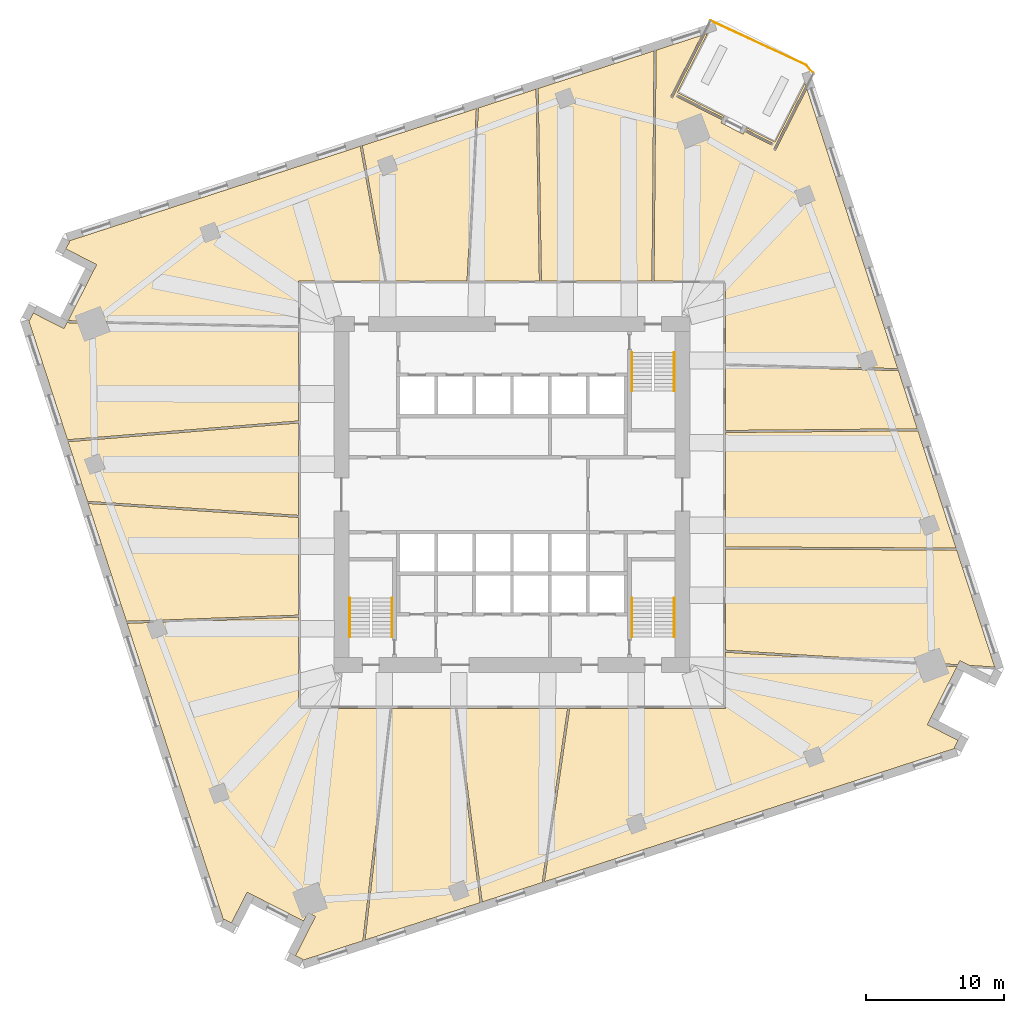
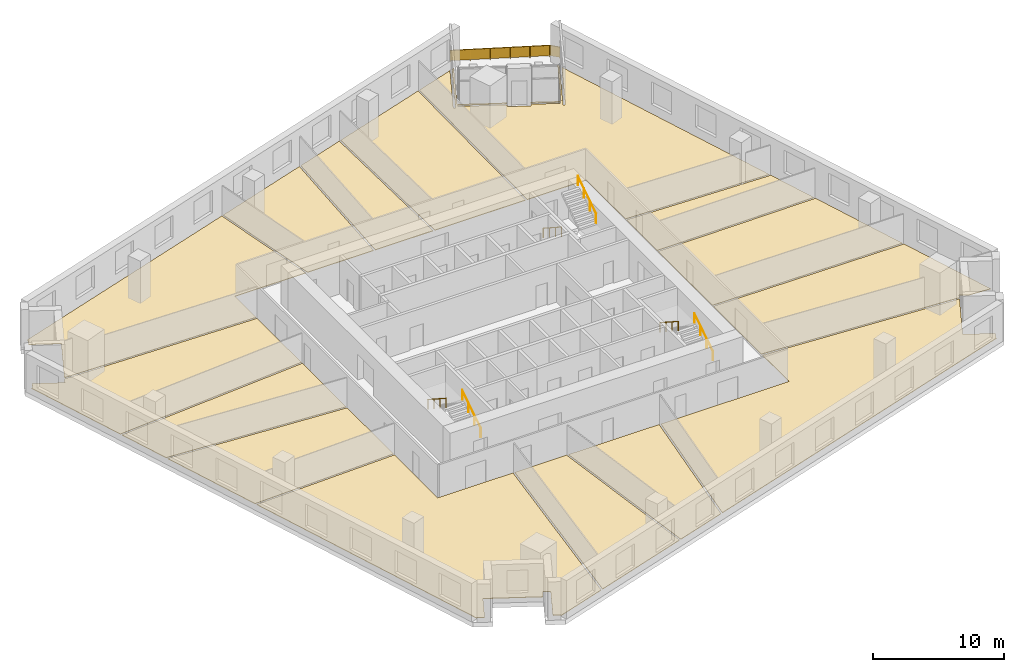
# One storey, part 11 of 12: 15 coverings, 7 railings.
"""IFC4 building model written with IfcOpenShell, lengths in metres."""

from ifc_helpers import new_model, si_unit, direction, frame, origin, origin_2d, place, context, subcontext, project, spatial, polyline, rectangle, circle, outline, extrude, material, layer, layer_set, type_object, element, save


model = new_model("IFC4")

# Units and contexts
model_context = context("Model", 3, precision=1e-05, world=origin(), true_north=direction((0.0, 1.0)))
body_context = subcontext(model_context, "Body", "Model", "MODEL_VIEW")
ifc_project = project(units=[si_unit("LENGTHUNIT", "METRE"), si_unit("AREAUNIT", "SQUARE_METRE"), si_unit("VOLUMEUNIT", "CUBIC_METRE"), si_unit("PLANEANGLEUNIT", "RADIAN"), si_unit("MASSUNIT", "GRAM", prefix="KILO")], contexts=[model_context])

# Site, building, storey
site_placement = place(None, origin())
site = spatial("IfcSite", under=ifc_project, at=site_placement, CompositionType="ELEMENT")
building_placement = place(site_placement, origin())
building = spatial("IfcBuilding", under=site, at=building_placement, Name="Dilmun Exchange Tower", CompositionType="ELEMENT")
storey_placement = place(building_placement, frame((0.0, 0.0, 98.10009765625)))
storey = spatial("IfcBuildingStorey", under=building, at=storey_placement, Name="L22", CompositionType="ELEMENT", Elevation=98.10009765625)

# Coverings
ifc_material_1 = material(Name="Carpet floor finish 50")
ifc_layer_1 = layer(ifc_material_1, 0.050048828125)
ifc_layer_set_1 = layer_set([ifc_layer_1], Name="Carpet floor finish 50")
covering_type_1 = type_object("IfcCoveringType", Name="Carpet floor finish 50", PredefinedType="FLOORING", material=ifc_layer_set_1)
covering_1_placement = place(storey_placement, origin())
element("IfcCovering", 1, at=covering_1_placement, inside=storey, type_object=covering_type_1, Name="Carpet floor finish 50 Open office 1", PredefinedType="FLOORING", context=body_context, shape_type="SweptSolid", body=[
    extrude(outline(polyline([(-15.47509765625, 12.090087890625), (-15.47509765625, 5.339599609375), (-32.203125, 3.977294921875), (-35.021484375, 12.650634765625), (-34.958251953125, 12.618408203125), (-34.9580078125, 12.618408203125), (-34.957763671875, 12.618408203125), (-34.95751953125, 12.618408203125), (-34.95751953125, 12.618408203125), (-34.957275390625, 12.618408203125), (-34.95703125, 12.618408203125), (-34.956787109375, 12.618408203125), (-34.956787109375, 12.618408203125), (-34.95654296875, 12.618408203125), (-34.956298828125, 12.61865234375), (-34.956298828125, 12.61865234375), (-34.9560546875, 12.618896484375), (-34.955810546875, 12.618896484375), (-34.955810546875, 12.619140625), (-34.95556640625, 12.619140625), (-34.95556640625, 12.619384765625), (-34.678955078125, 13.162353515625), (-32.453125, 12.0283203125), (-32.452880859375, 12.028076171875), (-32.45263671875, 12.028076171875), (-32.452392578125, 12.028076171875), (-32.452392578125, 12.028076171875), (-32.4521484375, 12.028076171875), (-32.451904296875, 12.028076171875), (-32.451904296875, 12.028076171875), (-32.45166015625, 12.028076171875), (-32.451416015625, 12.0283203125), (-32.451171875, 12.0283203125), (-32.451171875, 12.0283203125), (-32.450927734375, 12.028564453125), (-32.45068359375, 12.028564453125), (-32.45068359375, 12.02880859375), (-32.450439453125, 12.02880859375), (-32.450439453125, 12.029052734375), (-32.233642578125, 12.45458984375), (-15.47509765625, 12.090087890625)])), origin(), (0.0, 0.0, 1.0), 0.0498046875),
])
covering_2_placement = place(storey_placement, origin())
element("IfcCovering", 2, at=covering_2_placement, inside=storey, type_object=covering_type_1, Name="Carpet floor finish 50 Meeting room 1", PredefinedType="FLOORING", context=body_context, shape_type="SweptSolid", body=[
    extrude(outline(polyline([(-15.47509765625, -1.5), (-30.752685546875, -0.486572265625), (-32.155517578125, 3.83056640625), (-15.47509765625, 5.18896484375), (-15.47509765625, -1.5)])), origin(), (0.0, 0.0, 1.0), 0.0498046875),
])
covering_3_placement = place(storey_placement, origin())
element("IfcCovering", 3, at=covering_3_placement, inside=storey, type_object=covering_type_1, Name="Carpet floor finish 50 Advisory office", PredefinedType="FLOORING", context=body_context, shape_type="SweptSolid", body=[
    extrude(outline(polyline([(-15.47509765625, -8.725830078125), (-27.93017578125, -9.174072265625), (-30.702880859375, -0.64013671875), (-15.47509765625, -1.650390625), (-15.47509765625, -8.725830078125)])), origin(), (0.0, 0.0, 1.0), 0.0498046875),
])
covering_4_placement = place(storey_placement, origin())
element("IfcCovering", 4, at=covering_4_placement, inside=storey, type_object=covering_type_1, Name="Carpet floor finish 50 Open office 2", PredefinedType="FLOORING", context=body_context, shape_type="SweptSolid", body=[
    extrude(outline(polyline([(-9.2275390625, 15.47509765625), (-15.47509765625, 15.47509765625), (-15.47509765625, 12.239990234375), (-32.157958984375, 12.60302734375), (-30.362060546875, 16.127685546875), (-30.362060546875, 16.127685546875), (-30.089599609375, 16.662353515625), (-30.089599609375, 16.66259765625), (-30.089599609375, 16.66259765625), (-30.089599609375, 16.662841796875), (-30.089599609375, 16.6630859375), (-30.089599609375, 16.6630859375), (-30.089599609375, 16.663330078125), (-30.089599609375, 16.66357421875), (-30.089599609375, 16.663818359375), (-30.089599609375, 16.6640625), (-30.08984375, 16.664306640625), (-30.08984375, 16.664306640625), (-30.090087890625, 16.66455078125), (-30.090087890625, 16.66455078125), (-30.09033203125, 16.664794921875), (-30.09033203125, 16.664794921875), (-30.090576171875, 16.6650390625), (-32.31640625, 17.799072265625), (-32.039794921875, 18.341796875), (-32.03955078125, 18.342041015625), (-32.03955078125, 18.34228515625), (-32.03955078125, 18.34228515625), (-32.03955078125, 18.342529296875), (-32.03955078125, 18.3427734375), (-32.03955078125, 18.343017578125), (-32.03955078125, 18.34326171875), (-32.03955078125, 18.343505859375), (-32.039794921875, 18.343505859375), (-32.039794921875, 18.34375), (-32.039794921875, 18.343994140625), (-32.0400390625, 18.343994140625), (-32.0400390625, 18.34423828125), (-32.040283203125, 18.344482421875), (-32.040283203125, 18.344482421875), (-32.04052734375, 18.344482421875), (-32.103759765625, 18.376708984375), (-10.9951171875, 25.2353515625), (-9.2275390625, 15.47509765625)])), origin(), (0.0, 0.0, 1.0), 0.0498046875),
])
covering_5_placement = place(storey_placement, origin())
element("IfcCovering", 5, at=covering_5_placement, inside=storey, type_object=covering_type_1, Name="Carpet floor finish 50 Open office 3", PredefinedType="FLOORING", context=body_context, shape_type="SweptSolid", body=[
    extrude(outline(polyline([(-15.47509765625, -8.8759765625), (-15.47509765625, -15.47509765625), (-8.845703125, -15.47509765625), (-10.8037109375, -32.318115234375), (-15.1708984375, -33.7373046875), (-15.138671875, -33.674072265625), (-15.138671875, -33.673828125), (-15.138671875, -33.673583984375), (-15.138427734375, -33.673583984375), (-15.138427734375, -33.67333984375), (-15.138427734375, -33.673095703125), (-15.138427734375, -33.673095703125), (-15.138427734375, -33.6728515625), (-15.138671875, -33.672607421875), (-15.138671875, -33.67236328125), (-15.138916015625, -33.672119140625), (-15.138916015625, -33.672119140625), (-15.138916015625, -33.671875), (-15.13916015625, -33.671875), (-15.139404296875, -33.671630859375), (-15.139404296875, -33.67138671875), (-15.1396484375, -33.67138671875), (-15.682373046875, -33.394775390625), (-14.237060546875, -30.55810546875), (-14.23681640625, -30.557861328125), (-14.23681640625, -30.5576171875), (-14.23681640625, -30.5576171875), (-14.23681640625, -30.557373046875), (-14.23681640625, -30.55712890625), (-14.23681640625, -30.556884765625), (-14.23681640625, -30.556884765625), (-14.23681640625, -30.556640625), (-14.237060546875, -30.556396484375), (-14.237060546875, -30.55615234375), (-14.2373046875, -30.55615234375), (-14.2373046875, -30.555908203125), (-14.2373046875, -30.555908203125), (-14.237548828125, -30.5556640625), (-14.23779296875, -30.555419921875), (-14.23779296875, -30.555419921875), (-14.7724609375, -30.282958984375), (-14.772705078125, -30.282958984375), (-14.77294921875, -30.282958984375), (-14.77294921875, -30.28271484375), (-14.773193359375, -30.28271484375), (-14.7734375, -30.28271484375), (-14.773681640625, -30.28271484375), (-14.773681640625, -30.28271484375), (-14.77392578125, -30.282958984375), (-14.774169921875, -30.282958984375), (-14.7744140625, -30.283203125), (-14.7744140625, -30.283203125), (-14.774658203125, -30.283203125), (-14.77490234375, -30.283447265625), (-14.77490234375, -30.28369140625), (-14.775146484375, -30.28369140625), (-14.775146484375, -30.283935546875), (-15.085693359375, -30.89306640625), (-18.64794921875, -29.077880859375), (-19.1826171875, -28.8056640625), (-19.1826171875, -28.805419921875), (-19.182861328125, -28.805419921875), (-19.18310546875, -28.805419921875), (-19.18310546875, -28.805419921875), (-19.183349609375, -28.805419921875), (-19.18359375, -28.805419921875), (-19.183837890625, -28.805419921875), (-19.18408203125, -28.805419921875), (-19.18408203125, -28.8056640625), (-19.184326171875, -28.8056640625), (-19.1845703125, -28.805908203125), (-19.184814453125, -28.805908203125), (-19.184814453125, -28.805908203125), (-19.18505859375, -28.80615234375), (-19.18505859375, -28.806396484375), (-19.185302734375, -28.806396484375), (-20.319091796875, -31.0322265625), (-20.862060546875, -30.755615234375), (-20.8623046875, -30.755615234375), (-20.862548828125, -30.755615234375), (-20.86279296875, -30.75537109375), (-20.86279296875, -30.75537109375), (-20.863037109375, -30.75537109375), (-20.86328125, -30.75537109375), (-20.86328125, -30.75537109375), (-20.863525390625, -30.755615234375), (-20.86376953125, -30.755615234375), (-20.864013671875, -30.755615234375), (-20.8642578125, -30.755859375), (-20.8642578125, -30.755859375), (-20.864501953125, -30.756103515625), (-20.864501953125, -30.756103515625), (-20.86474609375, -30.75634765625), (-20.86474609375, -30.756591796875), (-20.89697265625, -30.819580078125), (-27.8818359375, -9.322509765625), (-15.47509765625, -8.8759765625)])), origin(), (0.0, 0.0, 1.0), 0.0498046875),
])
covering_6_placement = place(storey_placement, origin())
element("IfcCovering", 6, at=covering_6_placement, inside=storey, type_object=covering_type_1, Name="Carpet floor finish 50 Break-out lounge 1", PredefinedType="FLOORING", context=body_context, shape_type="SweptSolid", body=[
    extrude(outline(polyline([(-4.12060546875, -15.47509765625), (-2.30517578125, -29.556884765625), (-10.646484375, -32.267333984375), (-8.694580078125, -15.47509765625), (-4.12060546875, -15.47509765625)])), origin(), (0.0, 0.0, 1.0), 0.0498046875),
])
covering_7_placement = place(storey_placement, origin())
element("IfcCovering", 7, at=covering_7_placement, inside=storey, type_object=covering_type_1, Name="Carpet floor finish 50 Meeting room 2", PredefinedType="FLOORING", context=body_context, shape_type="SweptSolid", body=[
    extrude(outline(polyline([(2.1845703125, -28.09814453125), (-2.159912109375, -29.509765625), (-3.96923828125, -15.47509765625), (4.029052734375, -15.47509765625), (2.1845703125, -28.09814453125)])), origin(), (0.0, 0.0, 1.0), 0.0498046875),
])
covering_8_placement = place(storey_placement, origin())
element("IfcCovering", 8, at=covering_8_placement, inside=storey, type_object=covering_type_1, Name="Carpet floor finish 50 Break-out lounge 2", PredefinedType="FLOORING", context=body_context, shape_type="SweptSolid", body=[
    extrude(outline(polyline([(2.13330078125, 15.47509765625), (1.894287109375, 29.423583984375), (10.287841796875, 32.150634765625), (10.13818359375, 15.47509765625), (2.13330078125, 15.47509765625)])), origin(), (0.0, 0.0, 1.0), 0.0498046875),
])
covering_9_placement = place(storey_placement, origin())
element("IfcCovering", 9, at=covering_9_placement, inside=storey, type_object=covering_type_1, Name="Carpet floor finish 50 Open office 4", PredefinedType="FLOORING", context=body_context, shape_type="SweptSolid", body=[
    extrude(outline(polyline([(4.1806640625, -15.47509765625), (15.47509765625, -15.47509765625), (15.47509765625, -11.414794921875), (32.22802734375, -12.46533203125), (32.177978515625, -12.563720703125), (32.177978515625, -12.56396484375), (32.177978515625, -12.564208984375), (32.177734375, -12.564208984375), (30.362060546875, -16.127685546875), (30.362060546875, -16.127685546875), (30.089599609375, -16.662353515625), (30.089599609375, -16.66259765625), (30.089599609375, -16.66259765625), (30.089599609375, -16.662841796875), (30.089599609375, -16.6630859375), (30.089599609375, -16.6630859375), (30.089599609375, -16.663330078125), (30.089599609375, -16.66357421875), (30.089599609375, -16.663818359375), (30.089599609375, -16.6640625), (30.08984375, -16.664306640625), (30.08984375, -16.664306640625), (30.090087890625, -16.66455078125), (30.090087890625, -16.66455078125), (30.09033203125, -16.664794921875), (30.09033203125, -16.664794921875), (30.090576171875, -16.6650390625), (32.31640625, -17.799072265625), (32.039794921875, -18.341796875), (32.03955078125, -18.342041015625), (32.03955078125, -18.34228515625), (32.03955078125, -18.34228515625), (32.03955078125, -18.342529296875), (32.03955078125, -18.3427734375), (32.03955078125, -18.343017578125), (32.03955078125, -18.34326171875), (32.03955078125, -18.343505859375), (32.039794921875, -18.343505859375), (32.039794921875, -18.34375), (32.039794921875, -18.343994140625), (32.0400390625, -18.343994140625), (32.0400390625, -18.34423828125), (32.040283203125, -18.344482421875), (32.040283203125, -18.344482421875), (32.04052734375, -18.344482421875), (32.103759765625, -18.376708984375), (2.34375, -28.04638671875), (4.1806640625, -15.47509765625)])), origin(), (0.0, 0.0, 1.0), 0.0498046875),
])
covering_10_placement = place(storey_placement, origin())
element("IfcCovering", 10, at=covering_10_placement, inside=storey, type_object=covering_type_1, Name="Carpet floor finish 50 Garden lounge", PredefinedType="FLOORING", context=body_context, shape_type="SweptSolid", body=[
    extrude(outline(polyline([(21.22509765625, 29.809814453125), (21.28759765625, 29.617431640625), (18.937255859375, 25.004638671875), (18.937255859375, 25.00439453125), (18.93701171875, 25.00439453125), (18.93701171875, 25.004150390625), (18.93701171875, 25.00390625), (18.93701171875, 25.00390625), (18.93701171875, 25.003662109375), (18.93701171875, 25.00341796875), (18.93701171875, 25.003173828125), (18.937255859375, 25.0029296875), (18.937255859375, 25.002685546875), (18.9375, 25.002685546875), (18.9375, 25.00244140625), (18.9375, 25.00244140625), (18.937744140625, 25.002197265625), (18.93798828125, 25.002197265625), (18.93798828125, 25.001953125), (19.080810546875, 24.929443359375), (19.080810546875, 24.92919921875), (19.0810546875, 24.92919921875), (19.081298828125, 24.92919921875), (19.081298828125, 24.92919921875), (19.08154296875, 24.92919921875), (19.081787109375, 24.92919921875), (19.08203125, 24.92919921875), (19.082275390625, 24.92919921875), (19.08251953125, 24.92919921875), (19.08251953125, 24.929443359375), (19.082763671875, 24.929443359375), (19.0830078125, 24.9296875), (19.0830078125, 24.9296875), (19.083251953125, 24.929931640625), (19.083251953125, 24.93017578125), (19.08349609375, 24.930419921875), (21.359130859375, 29.39697265625), (27.9453125, 9.126708984375), (15.47509765625, 9.4873046875), (15.47509765625, 15.47509765625), (10.2880859375, 15.47509765625), (10.438232421875, 32.19970703125), (13.748046875, 33.27490234375), (11.47216796875, 28.808349609375), (11.47216796875, 28.80810546875), (11.47216796875, 28.80810546875), (11.47216796875, 28.807861328125), (11.471923828125, 28.8076171875), (11.471923828125, 28.807373046875), (11.471923828125, 28.80712890625), (11.47216796875, 28.806884765625), (11.47216796875, 28.806884765625), (11.47216796875, 28.806640625), (11.472412109375, 28.806396484375), (11.472412109375, 28.806396484375), (11.472412109375, 28.80615234375), (11.47265625, 28.805908203125), (11.472900390625, 28.805908203125), (11.472900390625, 28.8056640625), (11.47314453125, 28.8056640625), (11.61572265625, 28.73291015625), (11.615966796875, 28.73291015625), (11.615966796875, 28.73291015625), (11.6162109375, 28.73291015625), (11.616455078125, 28.73291015625), (11.61669921875, 28.73291015625), (11.61669921875, 28.73291015625), (11.616943359375, 28.73291015625), (11.6171875, 28.73291015625), (11.617431640625, 28.73291015625), (11.61767578125, 28.73291015625), (11.61767578125, 28.733154296875), (11.617919921875, 28.7333984375), (11.617919921875, 28.7333984375), (11.6181640625, 28.7333984375), (11.618408203125, 28.733642578125), (11.618408203125, 28.73388671875), (13.96875, 33.3466796875), (14.160888671875, 33.4091796875), (11.984130859375, 29.13671875), (15.380615234375, 27.406005859375), (15.315673828125, 27.27880859375), (11.986083984375, 28.975341796875), (11.98583984375, 28.975341796875), (11.985595703125, 28.975341796875), (11.985595703125, 28.975341796875), (11.9853515625, 28.9755859375), (11.985107421875, 28.9755859375), (11.98486328125, 28.9755859375), (11.984619140625, 28.975341796875), (11.984619140625, 28.975341796875), (11.984375, 28.975341796875), (11.984130859375, 28.97509765625), (11.98388671875, 28.97509765625), (11.98388671875, 28.97509765625), (11.983642578125, 28.974853515625), (11.9833984375, 28.974609375), (11.9833984375, 28.974609375), (11.9833984375, 28.974365234375), (11.91064453125, 28.831787109375), (11.91064453125, 28.83154296875), (11.91064453125, 28.83154296875), (11.910400390625, 28.831298828125), (11.910400390625, 28.8310546875), (11.910400390625, 28.830810546875), (11.910400390625, 28.830810546875), (11.910400390625, 28.83056640625), (11.91064453125, 28.830322265625), (11.91064453125, 28.830078125), (11.91064453125, 28.829833984375), (11.910888671875, 28.829833984375), (11.910888671875, 28.82958984375), (11.9111328125, 28.82958984375), (11.9111328125, 28.829345703125), (11.911376953125, 28.8291015625), (11.91162109375, 28.8291015625), (15.2412109375, 27.132568359375), (15.142333984375, 26.938232421875), (15.14208984375, 26.93798828125), (15.14208984375, 26.93798828125), (15.14208984375, 26.937744140625), (15.14208984375, 26.9375), (15.14208984375, 26.9375), (15.14208984375, 26.937255859375), (15.14208984375, 26.93701171875), (15.14208984375, 26.936767578125), (15.142333984375, 26.9365234375), (15.142333984375, 26.936279296875), (15.142578125, 26.936279296875), (15.142578125, 26.93603515625), (15.142578125, 26.93603515625), (15.142822265625, 26.935791015625), (15.14306640625, 26.935791015625), (15.143310546875, 26.935546875), (16.7470703125, 26.118408203125), (16.747314453125, 26.118408203125), (16.747314453125, 26.118408203125), (16.74755859375, 26.1181640625), (16.747802734375, 26.1181640625), (16.747802734375, 26.1181640625), (16.748046875, 26.1181640625), (16.748291015625, 26.1181640625), (16.74853515625, 26.118408203125), (16.748779296875, 26.118408203125), (16.748779296875, 26.118408203125), (16.7490234375, 26.11865234375), (16.749267578125, 26.11865234375), (16.749267578125, 26.118896484375), (16.74951171875, 26.118896484375), (16.74951171875, 26.119140625), (16.749755859375, 26.119384765625), (16.8486328125, 26.3134765625), (18.842041015625, 25.2978515625), (18.84228515625, 25.2978515625), (18.84228515625, 25.2978515625), (18.842529296875, 25.297607421875), (18.8427734375, 25.297607421875), (18.843017578125, 25.297607421875), (18.843017578125, 25.297607421875), (18.84326171875, 25.2978515625), (18.843505859375, 25.2978515625), (18.84375, 25.2978515625), (18.843994140625, 25.298095703125), (18.843994140625, 25.298095703125), (18.84423828125, 25.298095703125), (18.84423828125, 25.29833984375), (18.844482421875, 25.298583984375), (18.844482421875, 25.298583984375), (18.8447265625, 25.298828125), (18.917236328125, 25.44140625), (18.91748046875, 25.441650390625), (18.91748046875, 25.441650390625), (18.91748046875, 25.44189453125), (18.91748046875, 25.442138671875), (18.91748046875, 25.4423828125), (18.91748046875, 25.4423828125), (18.91748046875, 25.442626953125), (18.91748046875, 25.44287109375), (18.91748046875, 25.443115234375), (18.917236328125, 25.443359375), (18.917236328125, 25.443359375), (18.9169921875, 25.443603515625), (18.9169921875, 25.443603515625), (18.916748046875, 25.44384765625), (18.91650390625, 25.444091796875), (18.91650390625, 25.444091796875), (16.923095703125, 26.459716796875), (16.988037109375, 26.587158203125), (19.048095703125, 25.537353515625), (21.22509765625, 29.809814453125)])), origin(), (0.0, 0.0, 1.0), 0.0498046875),
])
covering_11_placement = place(storey_placement, origin())
element("IfcCovering", 11, at=covering_11_placement, inside=storey, type_object=covering_type_1, Name="Carpet floor finish 50 Analyst office 1", PredefinedType="FLOORING", context=body_context, shape_type="SweptSolid", body=[
    extrude(outline(polyline([(15.47509765625, 4.5), (29.408203125, 4.625), (32.168701171875, -3.87060546875), (15.47509765625, -3.780517578125), (15.47509765625, 4.5)])), origin(), (0.0, 0.0, 1.0), 0.0498046875),
])
covering_12_placement = place(storey_placement, origin())
element("IfcCovering", 12, at=covering_12_placement, inside=storey, type_object=covering_type_1, Name="Carpet floor finish 50 Analyst office 2", PredefinedType="FLOORING", context=body_context, shape_type="SweptSolid", body=[
    extrude(outline(polyline([(15.47509765625, -3.930419921875), (32.21728515625, -4.02099609375), (34.968017578125, -12.486572265625), (33.1259765625, -12.37109375), (32.453125, -12.0283203125), (32.452880859375, -12.028076171875), (32.45263671875, -12.028076171875), (32.452392578125, -12.028076171875), (32.452392578125, -12.028076171875), (32.4521484375, -12.028076171875), (32.451904296875, -12.028076171875), (32.451904296875, -12.028076171875), (32.45166015625, -12.028076171875), (32.451416015625, -12.0283203125), (32.451171875, -12.0283203125), (32.451171875, -12.0283203125), (32.450927734375, -12.028564453125), (32.45068359375, -12.028564453125), (32.45068359375, -12.02880859375), (32.450439453125, -12.02880859375), (32.450439453125, -12.029052734375), (32.302490234375, -12.319580078125), (15.47509765625, -11.264404296875), (15.47509765625, -3.930419921875)])), origin(), (0.0, 0.0, 1.0), 0.0498046875),
])

# Railings
ifc_material_2 = material(Name="Stainless steel", Category="steel")
railing_type_1 = type_object("IfcRailingType", Name="Stair handrail 900", PredefinedType="HANDRAIL", material=ifc_material_2)
railing_1_placement = place(storey_placement, frame((8.699951171875, 10.300048828125, 0.181640625)))
element("IfcRailing", 13, at=railing_1_placement, inside=storey, type_object=railing_type_1, Name="L22 ST1 stair handrail 1", PredefinedType="HANDRAIL", context=body_context, shape_type="SweptSolid", body=[
    extrude(circle(Radius=0.02392578125, at=origin_2d()), frame((0.0, 0.0, 0.8759765625), z_axis=(0.0, -0.838672427954, 0.544636170843), x_axis=(1.0, 0.0, 0.0)), (0.0, 0.0, 1.0), 3.338623046875),
    extrude(circle(Radius=0.02099609375, at=origin_2d()), origin(), (0.0, 0.0, 1.0), 0.851806640625),
    extrude(circle(Radius=0.02099609375, at=origin_2d()), frame((0.0, -0.933349609375, 0.606201171875)), (0.0, 0.0, 1.0), 0.851806640625),
    extrude(circle(Radius=0.02099609375, at=origin_2d()), frame((0.0, -1.86669921875, 1.212158203125)), (0.0, 0.0, 1.0), 0.851806640625),
    extrude(circle(Radius=0.02099609375, at=origin_2d()), frame((0.0, -2.800048828125, 1.818359375)), (0.0, 0.0, 1.0), 0.851806640625),
])
for number, where, name in (
    (14, (11.75, 7.5, 2.181640625), "L22 ST1 stair handrail 2"),
    (15, (-8.699951171875, -10.300048828125, 0.181640625), "L22 ST2 stair handrail 1"),
):
    element("IfcRailing", number, at=place(storey_placement, frame(where)), inside=storey, type_object=railing_type_1, Name=name, PredefinedType="HANDRAIL", context=body_context, shape_type="SweptSolid", body=[
        extrude(circle(Radius=0.02392578125, at=origin_2d()), frame((0.0, 0.0, 0.8759765625), z_axis=(0.0, 0.838672427954, 0.544636170843), x_axis=(-1.0, 0.0, 0.0)), (0.0, 0.0, 1.0), 3.338623046875),
        extrude(circle(Radius=0.02099609375, at=origin_2d()), origin(), (0.0, 0.0, 1.0), 0.851806640625),
        extrude(circle(Radius=0.02099609375, at=origin_2d()), frame((0.0, 0.933349609375, 0.606201171875)), (0.0, 0.0, 1.0), 0.851806640625),
        extrude(circle(Radius=0.02099609375, at=origin_2d()), frame((0.0, 1.86669921875, 1.212158203125)), (0.0, 0.0, 1.0), 0.851806640625),
        extrude(circle(Radius=0.02099609375, at=origin_2d()), frame((0.0, 2.800048828125, 1.818359375)), (0.0, 0.0, 1.0), 0.851806640625),
    ])
railing_2_placement = place(storey_placement, frame((-11.75, -7.5, 2.181640625)))
element("IfcRailing", 16, at=railing_2_placement, inside=storey, type_object=railing_type_1, Name="L22 ST2 stair handrail 2", PredefinedType="HANDRAIL", context=body_context, shape_type="SweptSolid", body=[
    extrude(circle(Radius=0.02392578125, at=origin_2d()), frame((0.0, 0.0, 0.8759765625), z_axis=(0.0, -0.838672427954, 0.544636170843), x_axis=(1.0, 0.0, 0.0)), (0.0, 0.0, 1.0), 3.338623046875),
    extrude(circle(Radius=0.02099609375, at=origin_2d()), origin(), (0.0, 0.0, 1.0), 0.851806640625),
    extrude(circle(Radius=0.02099609375, at=origin_2d()), frame((0.0, -0.933349609375, 0.606201171875)), (0.0, 0.0, 1.0), 0.851806640625),
    extrude(circle(Radius=0.02099609375, at=origin_2d()), frame((0.0, -1.86669921875, 1.212158203125)), (0.0, 0.0, 1.0), 0.851806640625),
    extrude(circle(Radius=0.02099609375, at=origin_2d()), frame((0.0, -2.800048828125, 1.818359375)), (0.0, 0.0, 1.0), 0.851806640625),
])
railing_3_placement = place(storey_placement, frame((11.75, -10.300048828125, 0.181640625)))
element("IfcRailing", 17, at=railing_3_placement, inside=storey, type_object=railing_type_1, Name="L22 ST3 stair handrail 1", PredefinedType="HANDRAIL", context=body_context, shape_type="SweptSolid", body=[
    extrude(circle(Radius=0.02392578125, at=origin_2d()), frame((0.0, 0.0, 0.8759765625), z_axis=(0.0, 0.838672427954, 0.544636170843), x_axis=(-1.0, 0.0, 0.0)), (0.0, 0.0, 1.0), 3.338623046875),
    extrude(circle(Radius=0.02099609375, at=origin_2d()), origin(), (0.0, 0.0, 1.0), 0.851806640625),
    extrude(circle(Radius=0.02099609375, at=origin_2d()), frame((0.0, 0.933349609375, 0.606201171875)), (0.0, 0.0, 1.0), 0.851806640625),
    extrude(circle(Radius=0.02099609375, at=origin_2d()), frame((0.0, 1.86669921875, 1.212158203125)), (0.0, 0.0, 1.0), 0.851806640625),
    extrude(circle(Radius=0.02099609375, at=origin_2d()), frame((0.0, 2.800048828125, 1.818359375)), (0.0, 0.0, 1.0), 0.851806640625),
])
railing_4_placement = place(storey_placement, frame((8.699951171875, -7.5, 2.181640625)))
element("IfcRailing", 18, at=railing_4_placement, inside=storey, type_object=railing_type_1, Name="L22 ST3 stair handrail 2", PredefinedType="HANDRAIL", context=body_context, shape_type="SweptSolid", body=[
    extrude(circle(Radius=0.02392578125, at=origin_2d()), frame((0.0, 0.0, 0.8759765625), z_axis=(0.0, -0.838672427954, 0.544636170843), x_axis=(1.0, 0.0, 0.0)), (0.0, 0.0, 1.0), 3.338623046875),
    extrude(circle(Radius=0.02099609375, at=origin_2d()), origin(), (0.0, 0.0, 1.0), 0.851806640625),
    extrude(circle(Radius=0.02099609375, at=origin_2d()), frame((0.0, -0.933349609375, 0.606201171875)), (0.0, 0.0, 1.0), 0.851806640625),
    extrude(circle(Radius=0.02099609375, at=origin_2d()), frame((0.0, -1.86669921875, 1.212158203125)), (0.0, 0.0, 1.0), 0.851806640625),
    extrude(circle(Radius=0.02099609375, at=origin_2d()), frame((0.0, -2.800048828125, 1.818359375)), (0.0, 0.0, 1.0), 0.851806640625),
])

# Coverings
ifc_material_3 = material(Name="Stone floor finish 50", Category="masonry")
ifc_layer_2 = layer(ifc_material_3, 0.050048828125)
ifc_layer_set_2 = layer_set([ifc_layer_2], Name="Stone floor finish 50")
covering_type_2 = type_object("IfcCoveringType", Name="Stone floor finish 50", PredefinedType="FLOORING", material=ifc_layer_set_2)
covering_13_placement = place(storey_placement, origin())
element("IfcCovering", 19, at=covering_13_placement, inside=storey, type_object=covering_type_2, Name="Stone floor finish 50 Reception 1", PredefinedType="FLOORING", context=body_context, shape_type="SweptSolid", body=[
    extrude(outline(polyline([(-10.851318359375, 25.2822265625), (-2.581787109375, 27.968994140625), (-3.2607421875, 15.47509765625), (-9.074951171875, 15.47509765625), (-10.851318359375, 25.2822265625)])), origin(), (0.0, 0.0, 1.0), 0.0498046875),
])
covering_14_placement = place(storey_placement, origin())
element("IfcCovering", 20, at=covering_14_placement, inside=storey, type_object=covering_type_2, Name="Stone floor finish 50 Reception 2", PredefinedType="FLOORING", context=body_context, shape_type="SweptSolid", body=[
    extrude(outline(polyline([(-3.110595703125, 15.47509765625), (-2.4287109375, 28.018798828125), (1.7451171875, 29.375), (1.9833984375, 15.47509765625), (-3.110595703125, 15.47509765625)])), origin(), (0.0, 0.0, 1.0), 0.0498046875),
])
covering_15_placement = place(storey_placement, origin())
element("IfcCovering", 21, at=covering_15_placement, inside=storey, type_object=covering_type_2, Name="Stone floor finish 50 Reception 3", PredefinedType="FLOORING", context=body_context, shape_type="SweptSolid", body=[
    extrude(outline(polyline([(15.47509765625, 9.337158203125), (27.99462890625, 8.975341796875), (29.359619140625, 4.774658203125), (15.47509765625, 4.64990234375), (15.47509765625, 9.337158203125)])), origin(), (0.0, 0.0, 1.0), 0.0498046875),
])

# Railing
railing_type_2 = type_object("IfcRailingType", Name="Terrace guard 1100 stainless steel", PredefinedType="GUARDRAIL", material=ifc_material_2)
railing_5_placement = place(storey_placement, frame((14.381103515625, 34.336669921875, 0.0)))
element("IfcRailing", 22, at=railing_5_placement, inside=storey, type_object=railing_type_2, Name="Terrace guard 1", PredefinedType="GUARDRAIL", context=body_context, shape_type="SweptSolid", body=[
    extrude(circle(Radius=0.02392578125, at=origin_2d()), frame((0.0, 0.0, 1.076171875), z_axis=(0.906816593314, -0.42152540385, 0.0), x_axis=(0.42152540385, 0.906816593314, 0.0)), (0.0, 0.0, 1.0), 7.63818359375),
    extrude(rectangle(XDim=0.011962890625, YDim=0.951904296875, at=origin_2d()), frame((0.0, 0.0, 0.576171875), z_axis=(0.906816593314, -0.42152540385, 0.0), x_axis=(0.42152540385, 0.906816593314, 0.0)), (0.0, 0.0, 1.0), 7.63818359375),
    extrude(circle(Radius=0.02392578125, at=origin_2d()), frame((6.926513671875, -3.2197265625, 1.076171875), z_axis=(0.678101344974, -0.734968411529, 0.0), x_axis=(0.734968411529, 0.678101344974, 0.0)), (0.0, 0.0, 1.0), 0.794189453125),
    extrude(rectangle(XDim=0.011962890625, YDim=0.951904296875, at=origin_2d()), frame((6.926513671875, -3.2197265625, 0.576171875), z_axis=(0.678101344974, -0.734968411529, 0.0), x_axis=(0.734968411529, 0.678101344974, 0.0)), (0.0, 0.0, 1.0), 0.794189453125),
    extrude(circle(Radius=0.02099609375, at=origin_2d()), origin(), (0.0, 0.0, 1.0), 1.052001953125),
    extrude(circle(Radius=0.02099609375, at=origin_2d()), frame((1.38525390625, -0.64404296875, 0.0)), (0.0, 0.0, 1.0), 1.052001953125),
    extrude(circle(Radius=0.02099609375, at=origin_2d()), frame((2.7705078125, -1.287841796875, 0.0)), (0.0, 0.0, 1.0), 1.052001953125),
    extrude(circle(Radius=0.02099609375, at=origin_2d()), frame((4.156005859375, -1.931884765625, 0.0)), (0.0, 0.0, 1.0), 1.052001953125),
    extrude(circle(Radius=0.02099609375, at=origin_2d()), frame((5.541259765625, -2.57568359375, 0.0)), (0.0, 0.0, 1.0), 1.052001953125),
    extrude(circle(Radius=0.02099609375, at=origin_2d()), frame((6.926513671875, -3.2197265625, 0.0)), (0.0, 0.0, 1.0), 1.052001953125),
    extrude(circle(Radius=0.02099609375, at=origin_2d()), frame((7.465087890625, -3.803466796875, 0.0)), (0.0, 0.0, 1.0), 1.052001953125),
])

save(model, "model.ifc")
